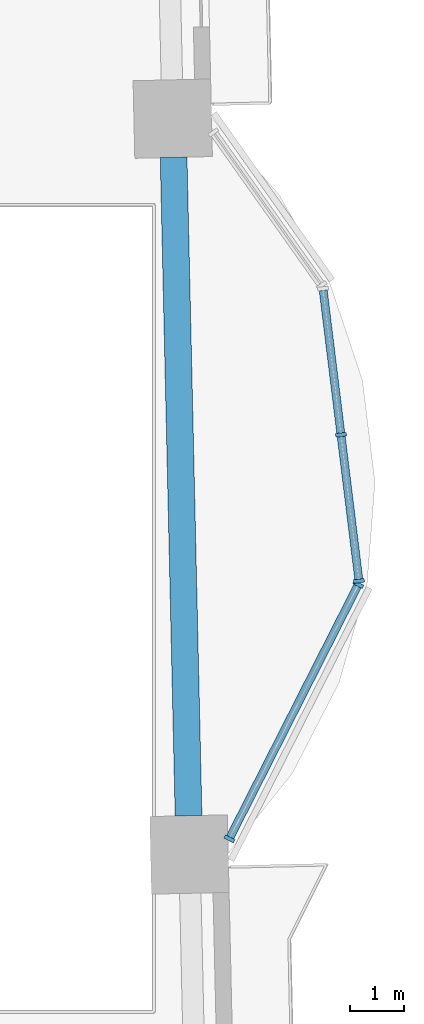
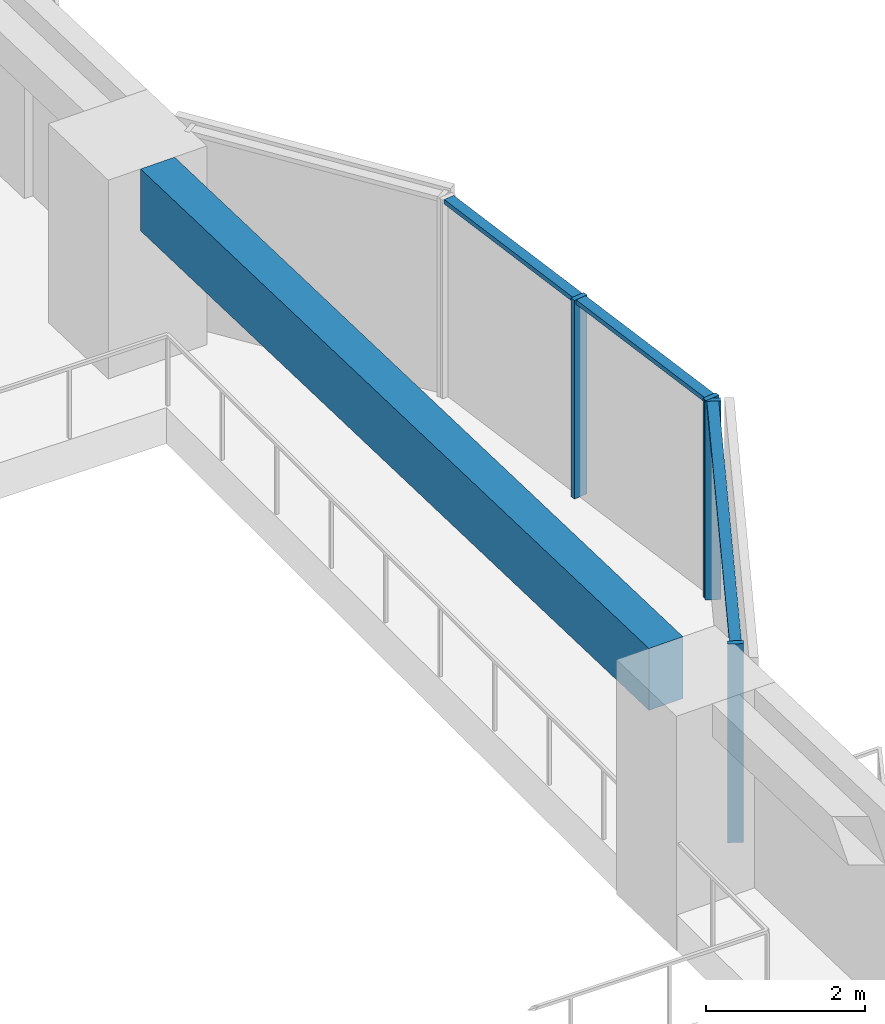
# One storey, part 2 of 17: 7 members, 1 beam, 2 elements without a shape of their own.
"""IFC4 building model written with IfcOpenShell, lengths in metres."""

from ifc_helpers import new_model, si_unit, direction, frame, origin, origin_2d, place, context, subcontext, project, spatial, rectangle, extrude, material, material_profile, profile_set, type_object, element, aggregate, save


model = new_model("IFC4")

# Units and contexts
model_context = context("Model", 3, precision=1e-05, world=origin(), true_north=direction((0.0, 1.0)))
body_context = subcontext(model_context, "Body", "Model", "MODEL_VIEW")
ifc_project = project(units=[si_unit("LENGTHUNIT", "METRE"), si_unit("AREAUNIT", "SQUARE_METRE"), si_unit("VOLUMEUNIT", "CUBIC_METRE"), si_unit("PLANEANGLEUNIT", "RADIAN"), si_unit("MASSUNIT", "GRAM", prefix="KILO")], contexts=[model_context])

# Site, building, storey
site_placement = place(None, origin())
site = spatial("IfcSite", under=ifc_project, at=site_placement, CompositionType="ELEMENT")
building_placement = place(site_placement, origin())
building = spatial("IfcBuilding", under=site, at=building_placement, Name="Mangrove Gate Tower", CompositionType="ELEMENT")
storey_placement = place(building_placement, frame((0.0, 0.0, 86.5)))
storey = spatial("IfcBuildingStorey", under=building, at=storey_placement, Name="L21", CompositionType="ELEMENT", Elevation=86.5)

# Curtain wall, members
ifc_material_1 = material(Name="Aluminium and glass curtain wall", Category="aluminium")
curtain_wall_type = type_object("IfcCurtainWallType", Name="Atrium garden-court glazing wall", PredefinedType="NOTDEFINED", material=ifc_material_1)
curtain_wall_1_placement = place(storey_placement, origin())
curtain_wall_1 = element("IfcCurtainWall", 1, at=curtain_wall_1_placement, inside=storey, type_object=curtain_wall_type, Name="Atrium garden-court glazing E1f1", PredefinedType="NOTDEFINED")
ifc_material_2 = material(Name="Aluminium alloy 6063-T6", Category="aluminium")
ifc_material_profile_1 = material_profile(ifc_material_2, rectangle(XDim=0.070068359375, YDim=0.199951171875, at=origin_2d()))
ifc_profile_set_1 = profile_set([ifc_material_profile_1], Name="Aluminium alloy 6063-T6")
member_type_1 = type_object("IfcMemberType", Name="Atrium garden-court glazing mullion 70x200", PredefinedType="MULLION", material=ifc_profile_set_1)
member_1_placement = place(storey_placement, frame((30.105224609375, -4.3037109375, 0.0), z_axis=(0.0, 0.0, 1.0), x_axis=(0.452580762064, 0.891723417776, 0.0)))
member_1 = element("IfcMember", 2, at=member_1_placement, type_object=member_type_1, Name="CWA mullion 1", PredefinedType="MULLION", context=body_context, shape_type="SweptSolid", body=[
    extrude(rectangle(XDim=0.070068359375, YDim=0.199951171875, at=origin_2d()), origin(), (0.0, 0.0, 1.0), 3.050048828125),
])
member_2_placement = place(storey_placement, frame((32.516357421875, 0.44677734375, 0.0), z_axis=(0.0, 0.0, 1.0), x_axis=(0.452580762064, 0.891723417776, 0.0)))
member_2 = element("IfcMember", 3, at=member_2_placement, type_object=member_type_1, Name="CWA mullion 2", PredefinedType="MULLION", context=body_context, shape_type="SweptSolid", body=[
    extrude(rectangle(XDim=0.070068359375, YDim=0.199951171875, at=origin_2d()), origin(), (0.0, 0.0, 1.0), 3.050048828125),
])

curtain_wall_2_placement = place(storey_placement, origin())
curtain_wall_2 = element("IfcCurtainWall", 4, at=curtain_wall_2_placement, inside=storey, type_object=curtain_wall_type, Name="Atrium garden-court glazing E1f2", PredefinedType="NOTDEFINED")
member_3_placement = place(storey_placement, frame((32.528076171875, 0.512939453125, 0.0), z_axis=(0.0, 0.0, 1.0), x_axis=(-0.122172286076, 0.992508908028, 0.0)))
member_3 = element("IfcMember", 5, at=member_3_placement, type_object=member_type_1, Name="CWA mullion 1", PredefinedType="MULLION", context=body_context, shape_type="SweptSolid", body=[
    extrude(rectangle(XDim=0.070068359375, YDim=0.199951171875, at=origin_2d()), origin(), (0.0, 0.0, 1.0), 3.050048828125),
])
member_4_placement = place(storey_placement, frame((32.19189453125, 3.243896484375, 0.0), z_axis=(0.0, 0.0, 1.0), x_axis=(-0.122172286076, 0.992508908028, 0.0)))
member_4 = element("IfcMember", 6, at=member_4_placement, type_object=member_type_1, Name="CWA mullion 2", PredefinedType="MULLION", context=body_context, shape_type="SweptSolid", body=[
    extrude(rectangle(XDim=0.070068359375, YDim=0.199951171875, at=origin_2d()), origin(), (0.0, 0.0, 1.0), 3.050048828125),
])

# Member
ifc_material_3 = material(Name="Aluminium alloy 6063-T6", Category="aluminium")
ifc_material_profile_2 = material_profile(ifc_material_3, rectangle(XDim=0.070068359375, YDim=0.14990234375, at=origin_2d()))
ifc_profile_set_2 = profile_set([ifc_material_profile_2], Name="Aluminium alloy 6063-T6")
member_type_2 = type_object("IfcMemberType", Name="Atrium garden-court glazing transom 70x150", PredefinedType="USERDEFINED", material=ifc_profile_set_2)
member_5_placement = place(storey_placement, frame((30.12109375, -4.2724609375, 3.014892578125), z_axis=(0.452573642037, 0.891727031402, 0.0), x_axis=(0.0, 0.0, 1.0)))
member_5 = element("IfcMember", 7, at=member_5_placement, type_object=member_type_2, Name="CWA transom 1.2", ObjectType="TRANSOM", PredefinedType="USERDEFINED", context=body_context, shape_type="SweptSolid", body=[
    extrude(rectangle(XDim=0.070068359375, YDim=0.14990234375, at=origin_2d()), origin(), (0.0, 0.0, 1.0), 5.257568359375),
])

aggregate(curtain_wall_1, [member_1, member_2, member_5])

member_6_placement = place(storey_placement, frame((32.523681640625, 0.547607421875, 3.014892578125), z_axis=(-0.122174517154, 0.992508633392, 0.0), x_axis=(0.0, 0.0, 1.0)))
member_6 = element("IfcMember", 8, at=member_6_placement, type_object=member_type_2, Name="CWA transom 1.2", ObjectType="TRANSOM", PredefinedType="USERDEFINED", context=body_context, shape_type="SweptSolid", body=[
    extrude(rectangle(XDim=0.070068359375, YDim=0.14990234375, at=origin_2d()), origin(), (0.0, 0.0, 1.0), 2.681640625),
])

member_7_placement = place(storey_placement, frame((32.1875, 3.27880859375, 3.014892578125), z_axis=(-0.122174517154, 0.992508633392, 0.0), x_axis=(0.0, 0.0, 1.0)))
member_7 = element("IfcMember", 9, at=member_7_placement, type_object=member_type_2, Name="CWA transom 2.2", ObjectType="TRANSOM", PredefinedType="USERDEFINED", context=body_context, shape_type="SweptSolid", body=[
    extrude(rectangle(XDim=0.070068359375, YDim=0.14990234375, at=origin_2d()), origin(), (0.0, 0.0, 1.0), 2.681640625),
])

aggregate(curtain_wall_2, [member_3, member_4, member_6, member_7])

# Beam
ifc_material_4 = material(Name="Concrete C50/60", Category="concrete")
ifc_material_profile_3 = material_profile(ifc_material_4, rectangle(XDim=0.5, YDim=0.949951171875, at=origin_2d()))
ifc_profile_set_3 = profile_set([ifc_material_profile_3], Name="Concrete C50/60")
beam_type = type_object("IfcBeamType", Name="Edge beam RC 500x950 C50/60", PredefinedType="BEAM", material=ifc_profile_set_3)
beam_placement = place(storey_placement, frame((29.34375, -3.87255859375, 2.574951171875), z_axis=(-0.022686238453, 0.999742634174, 0.0), x_axis=(-0.999742634174, -0.022686238453, 0.0)))
element("IfcBeam", 10, at=beam_placement, inside=storey, type_object=beam_type, Name="Edge beam L21 15", PredefinedType="BEAM", context=body_context, shape_type="SweptSolid", body=[
    extrude(rectangle(XDim=0.5, YDim=0.949951171875, at=origin_2d()), origin(), (0.0, 0.0, 1.0), 12.300537109375),
])

save(model, "model.ifc")
